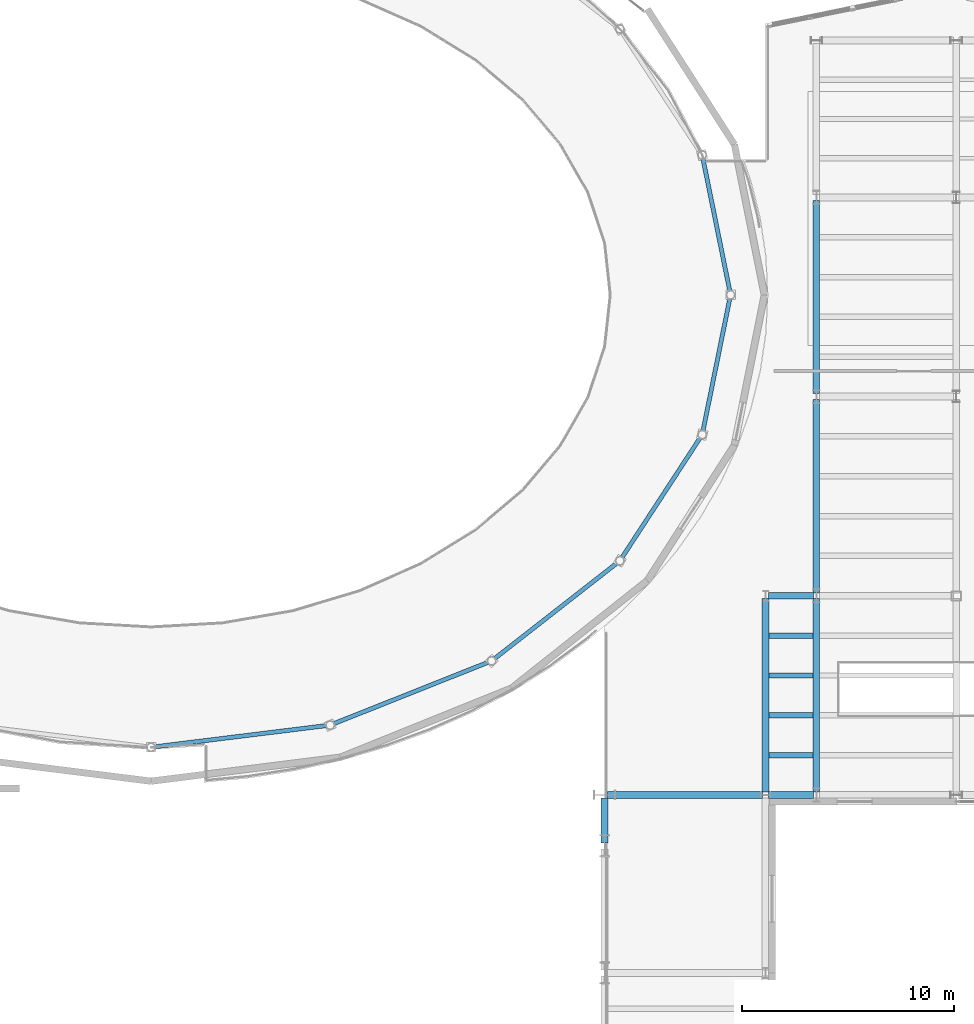
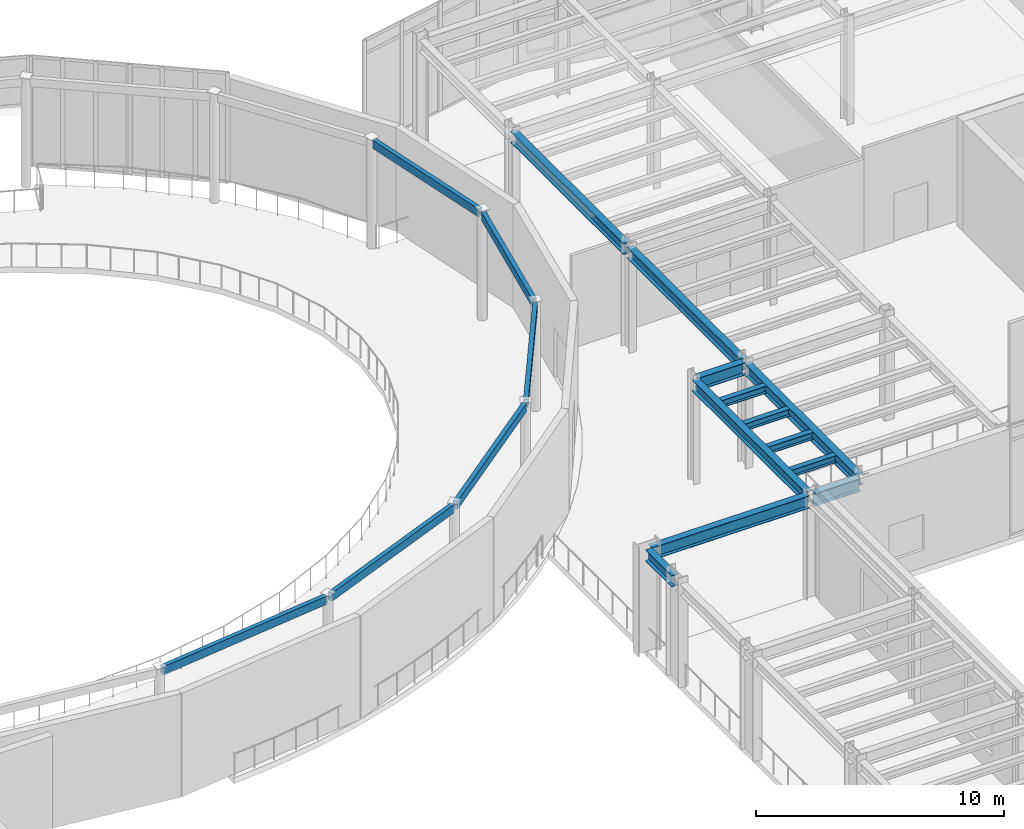
# One storey, part 42 of 98: 18 beams.
"""IFC4 building model written with IfcOpenShell, lengths in metres."""

import ifcopenshell
import ifcopenshell.guid

model = None  # the IFC model being written
_history = None  # IfcOwnerHistory: only IFC2X3 demands one
_inside = {}  # id of a spatial element -> (the spatial element, [elements in it])
_under = {}  # id of a project, library or spatial element -> (it, [spatial elements below it])
_declared = {}  # id of a project -> (the project, [libraries it declares])
_typed = {}  # id of a type object -> (the type object, [elements of that type])
_made_of = {}  # id of a material, layer set ... -> (it, [elements and type objects made of it])


def new_model(schema):
    """Start an empty IFC model of exactly this schema.

    Asked for "IFC4X3", IfcOpenShell would pick the latest addendum, in which some entities
    have other attributes; the version numbers below select the first issue.
    IFC2X3 requires an IfcOwnerHistory on every rooted entity: one is made here for all.
    """
    global model, _history
    if schema == "IFC4X3":
        model = ifcopenshell.file(schema_version=(4, 3, 0, 0))
    else:
        model = ifcopenshell.file(schema=schema)
    _inside.clear()
    _under.clear()
    _declared.clear()
    _typed.clear()
    _made_of.clear()
    _history = None
    if model.schema == "IFC2X3":
        org = make("IfcOrganization", Name="unknown")
        user = make(
            "IfcPersonAndOrganization",
            ThePerson=make("IfcPerson", FamilyName="unknown"),
            TheOrganization=org,
        )
        app = make(
            "IfcApplication",
            ApplicationDeveloper=org,
            Version="unknown",
            ApplicationFullName="unknown",
            ApplicationIdentifier="unknown",
        )
        _history = make(
            "IfcOwnerHistory",
            OwningUser=user,
            OwningApplication=app,
            ChangeAction="ADDED",
            CreationDate=0,
        )
    return model


def make(cls, **values):
    """One entity of the class cls with the attributes given. An attribute that is None is left unset."""
    return model.create_entity(
        cls, **{name: value for name, value in values.items() if value is not None}
    )


def rooted(cls, **values):
    """An entity with a GlobalId (a new one), such as an element, a storey or a relation."""
    return make(cls, GlobalId=ifcopenshell.guid.new(), OwnerHistory=_history, **values)


def si_unit(unit_type, name, prefix=None):
    """IfcSIUnit, for example si_unit("LENGTHUNIT", "METRE", prefix="MILLI")."""
    return make("IfcSIUnit", UnitType=unit_type, Prefix=prefix, Name=name)


def assignment(units):
    """IfcUnitAssignment: the units of a project."""
    return None if units is None else make("IfcUnitAssignment", Units=units)


def point(xyz):
    """IfcCartesianPoint."""
    return None if xyz is None else make("IfcCartesianPoint", Coordinates=xyz)


def direction(xyz):
    """IfcDirection."""
    return None if xyz is None else make("IfcDirection", DirectionRatios=xyz)


def frame(location, z_axis=None, x_axis=None):
    """IfcAxis2Placement3D, a coordinate frame: its origin and axes. An axis left out is left unset."""
    return make(
        "IfcAxis2Placement3D",
        Location=point(location),
        Axis=direction(z_axis),
        RefDirection=direction(x_axis),
    )


def frame_2d(location, x_axis=None):
    """IfcAxis2Placement2D, a coordinate frame in the plane: its origin and x axis."""
    return make(
        "IfcAxis2Placement2D", Location=point(location), RefDirection=direction(x_axis)
    )


def origin():
    """The frame at (0, 0, 0) with its axes left unset."""
    return frame((0.0, 0.0, 0.0))


def origin_2d():
    """The frame at (0, 0) in the plane with its x axis left unset."""
    return frame_2d((0.0, 0.0))


def place(relative_to, where):
    """IfcLocalPlacement: puts the frame where relative to a parent placement (None: the world)."""
    return make(
        "IfcLocalPlacement", PlacementRelTo=relative_to, RelativePlacement=where
    )


def context(
    kind, dimensions, precision=None, world=None, true_north=None, identifier=None
):
    """IfcGeometricRepresentationContext, for example the 3D "Model" context."""
    return make(
        "IfcGeometricRepresentationContext",
        ContextIdentifier=identifier,
        ContextType=kind,
        CoordinateSpaceDimension=dimensions,
        Precision=precision,
        WorldCoordinateSystem=world,
        TrueNorth=true_north,
    )


def subcontext(parent, identifier, kind, view, scale=None):
    """IfcGeometricRepresentationSubContext, for example "Body" below "Model"."""
    return make(
        "IfcGeometricRepresentationSubContext",
        ContextIdentifier=identifier,
        ContextType=kind,
        ParentContext=parent,
        TargetScale=scale,
        TargetView=view,
    )


def project(units=None, contexts=None):
    """IfcProject with its units and contexts."""
    return rooted(
        "IfcProject",
        Name="project",
        RepresentationContexts=contexts,
        UnitsInContext=assignment(units),
    )


def spatial(cls, under=None, at=None, **own):
    """A site, building, storey or space (cls), placed at a placement, below another one or the project."""
    s = rooted(cls, ObjectPlacement=at, **own)
    if under is not None:
        _under.setdefault(under.id(), (under, []))[1].append(s)
    return s


def profile(cls, at=None, kind="AREA", **sizes):
    """A parametric profile (cls). Its sizes go by their IFC names, for example OverallWidth=200.0."""
    return make(cls, ProfileType=kind, Position=at, **sizes)


def hollow_rectangle(**sizes):
    """IfcRectangleHollowProfileDef."""
    return profile("IfcRectangleHollowProfileDef", **sizes)


def i_section(**sizes):
    """IfcIShapeProfileDef."""
    return profile("IfcIShapeProfileDef", **sizes)


def extrude(swept, where, along, depth):
    """IfcExtrudedAreaSolid: the profile swept, set in the frame where, extruded along a direction by depth."""
    return make(
        "IfcExtrudedAreaSolid",
        SweptArea=swept,
        Position=where,
        ExtrudedDirection=direction(along),
        Depth=depth,
    )


def shape(context_of_items, identifier, shape_type, items):
    """IfcShapeRepresentation: the items that make up one representation, for example the "Body"."""
    return make(
        "IfcShapeRepresentation",
        ContextOfItems=context_of_items,
        RepresentationIdentifier=identifier,
        RepresentationType=shape_type,
        Items=items,
    )


def material(Name=None, Category=None):
    """IfcMaterial."""
    return make("IfcMaterial", Name=Name, Category=Category)


def material_profile(
    of_material, cross_section, Name=None, Category=None, Priority=None
):
    """IfcMaterialProfile: a cross section and its material."""
    return make(
        "IfcMaterialProfile",
        Name=Name,
        Material=of_material,
        Profile=cross_section,
        Priority=Priority,
        Category=Category,
    )


def profile_set(profiles, Name=None, composite=None):
    """IfcMaterialProfileSet."""
    return make(
        "IfcMaterialProfileSet",
        Name=Name,
        MaterialProfiles=profiles,
        CompositeProfile=composite,
    )


def made_of(thing, what):
    """Note that an element or type object is made of a material, layer set ...; save() writes the relation."""
    if what is not None:
        _made_of.setdefault(what.id(), (what, []))[1].append(thing)
    return thing


def type_object(cls, material=None, **own):
    """A type object (cls), such as IfcWallType, which elements share."""
    return made_of(rooted(cls, **own), material)


def element(
    cls,
    number,
    at=None,
    inside=None,
    cuts=None,
    type_object=None,
    material=None,
    context=None,
    identifier="Body",
    shape_type=None,
    held_by="IfcProductDefinitionShape",
    body=None,
    shapes=None,
    **own,
):
    """One element of the class cls, such as IfcWall. Its Tag is "e" and its number.

    at: its placement. inside: the storey or other place that contains it. cuts: it is an
    opening in that element (IfcRelVoidsElement). A single representation is given by context,
    identifier, shape_type and body (its items); several are given by shapes. held_by: the class
    of the entity that holds the representations. save() writes the other relations.
    """
    e = rooted(cls, Tag="e%d" % number, ObjectPlacement=at, **own)
    if body is not None:
        shapes = [shape(context, identifier, shape_type, body)]
    if shapes is not None:
        e.Representation = make(held_by, Representations=shapes)
    if inside is not None:
        _inside.setdefault(inside.id(), (inside, []))[1].append(e)
    if cuts is not None:
        rooted(
            "IfcRelVoidsElement", RelatingBuildingElement=cuts, RelatedOpeningElement=e
        )
    if type_object is not None:
        _typed.setdefault(type_object.id(), (type_object, []))[1].append(e)
    return made_of(e, material)


def aggregate(whole, parts):
    """IfcRelAggregates: a whole, such as a stair, and the parts it consists of."""
    return rooted("IfcRelAggregates", RelatingObject=whole, RelatedObjects=parts)


def save(model, path):
    """Write the relations noted so far, then the file.

    IfcRelAggregates (storeys below a building ...), IfcRelContainedInSpatialStructure (elements
    in a storey), IfcRelDefinesByType, IfcRelAssociatesMaterial and IfcRelDeclares: one each for
    every whole, place, type object, material and project.
    """
    for whole, parts in _under.values():
        aggregate(whole, parts)
    for where, things in _inside.values():
        rooted(
            "IfcRelContainedInSpatialStructure",
            RelatedElements=things,
            RelatingStructure=where,
        )
    for kind, things in _typed.values():
        rooted("IfcRelDefinesByType", RelatedObjects=things, RelatingType=kind)
    for what, things in _made_of.values():
        rooted("IfcRelAssociatesMaterial", RelatedObjects=things, RelatingMaterial=what)
    for by, libraries in _declared.values():
        rooted("IfcRelDeclares", RelatingContext=by, RelatedDefinitions=libraries)
    model.write(path)


model = new_model("IFC4")

# Units and contexts
model_context = context("Model", 3, precision=1e-05, world=origin(), true_north=direction((0.0, 1.0)))
body_context = subcontext(model_context, "Body", "Model", "MODEL_VIEW")
ifc_project = project(units=[si_unit("LENGTHUNIT", "METRE"), si_unit("AREAUNIT", "SQUARE_METRE"), si_unit("VOLUMEUNIT", "CUBIC_METRE"), si_unit("PLANEANGLEUNIT", "RADIAN"), si_unit("MASSUNIT", "GRAM", prefix="KILO")], contexts=[model_context])

# Site, building, storey
site_placement = place(None, origin())
site = spatial("IfcSite", under=ifc_project, at=site_placement, CompositionType="ELEMENT")
building_placement = place(site_placement, origin())
building = spatial("IfcBuilding", under=site, at=building_placement, Name="Sollismere Congress Hotel", CompositionType="ELEMENT")
storey_placement = place(building_placement, frame((0.0, 0.0, 5.39990234375)))
storey = spatial("IfcBuildingStorey", under=building, at=storey_placement, Name="L01", CompositionType="ELEMENT", Elevation=5.39990234375)

# Beams
ifc_material_1 = material(Name="Steel ASTM A500 Grade C", Category="steel")
ifc_material_profile_1 = material_profile(ifc_material_1, hollow_rectangle(XDim=0.199951171875, YDim=0.39990234375, WallThickness=0.011962890625, at=origin_2d()), Name="HSS400X200X12")
ifc_profile_set_1 = profile_set([ifc_material_profile_1], Name="Steel ASTM A500 Grade C")
beam_type_1 = type_object("IfcBeamType", Name="BM-BX400", PredefinedType="HOLLOWCORE", material=ifc_profile_set_1)
beam_1_placement = place(storey_placement, frame((56.326171875, 90.517578125, 5.150146484375), z_axis=(-0.198827417532, 0.980034518799, 0.0), x_axis=(-0.980034518799, -0.198827417532, 0.0)))
element("IfcBeam", 1, at=beam_1_placement, inside=storey, type_object=beam_type_1, Name="Beam BM-L01-4186", PredefinedType="HOLLOWCORE", context=body_context, shape_type="SweptSolid", body=[
    extrude(hollow_rectangle(XDim=0.199951171875, YDim=0.39990234375, WallThickness=0.011962890625, at=origin_2d()), origin(), (0.0, 0.0, 1.0), 6.491943359375),
])
beam_2_placement = place(storey_placement, frame((29.119140625, 69.064697265625, 5.150146484375), z_axis=(0.992444891413, 0.122691228327, 0.0), x_axis=(-0.122691228327, 0.992444891413, 0.0)))
element("IfcBeam", 2, at=beam_2_placement, inside=storey, type_object=beam_type_1, Name="Beam BM-L01-4201", PredefinedType="HOLLOWCORE", context=body_context, shape_type="SweptSolid", body=[
    extrude(hollow_rectangle(XDim=0.199951171875, YDim=0.39990234375, WallThickness=0.011962890625, at=origin_2d()), origin(), (0.0, 0.0, 1.0), 8.27587890625),
])
beam_3_placement = place(storey_placement, frame((37.56298828125, 70.139404296875, 5.150146484375), z_axis=(0.929208384376, 0.369556191134, 0.0), x_axis=(-0.369556191134, 0.929208384376, 0.0)))
element("IfcBeam", 3, at=beam_3_placement, inside=storey, type_object=beam_type_1, Name="Beam BM-L01-4202", PredefinedType="HOLLOWCORE", context=body_context, shape_type="SweptSolid", body=[
    extrude(hollow_rectangle(XDim=0.199951171875, YDim=0.39990234375, WallThickness=0.011962890625, at=origin_2d()), origin(), (0.0, 0.0, 1.0), 7.96533203125),
])
beam_4_placement = place(storey_placement, frame((45.17041015625, 73.201416015625, 5.150146484375), z_axis=(0.788263734949, 0.615337536775, 0.0), x_axis=(-0.615337536775, 0.788263734949, 0.0)))
element("IfcBeam", 4, at=beam_4_placement, inside=storey, type_object=beam_type_1, Name="Beam BM-L01-4203", PredefinedType="HOLLOWCORE", context=body_context, shape_type="SweptSolid", body=[
    extrude(hollow_rectangle(XDim=0.199951171875, YDim=0.39990234375, WallThickness=0.011962890625, at=origin_2d()), origin(), (0.0, 0.0, 1.0), 7.43603515625),
])
beam_5_placement = place(storey_placement, frame((51.192138671875, 77.951416015625, 5.150146484375), z_axis=(0.546609343854, 0.837387738871, 0.0), x_axis=(-0.837387738871, 0.546609343854, 0.0)))
element("IfcBeam", 5, at=beam_5_placement, inside=storey, type_object=beam_type_1, Name="Beam BM-L01-4204", PredefinedType="HOLLOWCORE", context=body_context, shape_type="SweptSolid", body=[
    extrude(hollow_rectangle(XDim=0.199951171875, YDim=0.39990234375, WallThickness=0.011962890625, at=origin_2d()), origin(), (0.0, 0.0, 1.0), 6.8671875),
])
beam_6_placement = place(storey_placement, frame((55.035400390625, 83.920166015625, 5.150146484375), z_axis=(0.198827417532, 0.980034518799, 0.0), x_axis=(-0.980034518799, 0.198827417532, 0.0)))
element("IfcBeam", 6, at=beam_6_placement, inside=storey, type_object=beam_type_1, Name="Beam BM-L01-4205", PredefinedType="HOLLOWCORE", context=body_context, shape_type="SweptSolid", body=[
    extrude(hollow_rectangle(XDim=0.199951171875, YDim=0.39990234375, WallThickness=0.011962890625, at=origin_2d()), origin(), (0.0, 0.0, 1.0), 6.491943359375),
])
ifc_material_2 = material(Name="Steel ASTM A992 Grade 50", Category="steel")
ifc_material_profile_2 = material_profile(ifc_material_2, i_section(OverallWidth=0.31494140625, OverallDepth=0.551025390625, WebThickness=0.01513671875, FlangeThickness=0.0244140625, at=origin_2d()), Name="W21X122")
ifc_profile_set_2 = profile_set([ifc_material_profile_2], Name="Steel ASTM A992 Grade 50")
beam_type_2 = type_object("IfcBeamType", Name="BM-G21H", PredefinedType="BEAM", material=ifc_profile_set_2)
beam_7_placement = place(storey_placement, frame((50.39990234375, 64.5400390625, 4.844482421875), z_axis=(0.0, 1.0, 0.0), x_axis=(-1.0, 0.0, 0.0)))
element("IfcBeam", 7, at=beam_7_placement, inside=storey, type_object=beam_type_2, Name="Beam BM-L01-1645", PredefinedType="BEAM", context=body_context, shape_type="SweptSolid", body=[
    extrude(i_section(OverallWidth=0.31494140625, OverallDepth=0.551025390625, WebThickness=0.01513671875, FlangeThickness=0.0244140625, at=origin_2d()), origin(), (0.0, 0.0, 1.0), 2.119873046875),
])
for number, where, z_axis, x_axis, name in (
    (8, (58.0, 66.93994140625, 4.844482421875), (0.0, 1.0, 0.0), (-1.0, 0.0, 0.0), "Beam BM-L01-1652"),
    (9, (60.39990234375, 66.93994140625, 4.844482421875), (0.0, 1.0, 0.0), (-1.0, 0.0, 0.0), "Beam BM-L01-1653"),
):
    element("IfcBeam", number, at=place(storey_placement, frame(where, z_axis=z_axis, x_axis=x_axis)), inside=storey, type_object=beam_type_2, Name=name, PredefinedType="BEAM", context=body_context, shape_type="SweptSolid", body=[
        extrude(i_section(OverallWidth=0.31494140625, OverallDepth=0.551025390625, WebThickness=0.01513671875, FlangeThickness=0.0244140625, at=origin_2d()), origin(), (0.0, 0.0, 1.0), 9.1201171875),
    ])
beam_8_placement = place(storey_placement, frame((60.39990234375, 76.340087890625, 4.844482421875), z_axis=(0.0, 1.0, 0.0), x_axis=(-1.0, 0.0, 0.0)))
element("IfcBeam", 10, at=beam_8_placement, inside=storey, type_object=beam_type_2, Name="Beam BM-L01-1654", PredefinedType="BEAM", context=body_context, shape_type="SweptSolid", body=[
    extrude(i_section(OverallWidth=0.31494140625, OverallDepth=0.551025390625, WebThickness=0.01513671875, FlangeThickness=0.0244140625, at=origin_2d()), origin(), (0.0, 0.0, 1.0), 9.119873046875),
])
beam_9_placement = place(storey_placement, frame((60.39990234375, 85.739990234375, 4.844482421875), z_axis=(0.0, 1.0, 0.0), x_axis=(-1.0, 0.0, 0.0)))
element("IfcBeam", 11, at=beam_9_placement, inside=storey, type_object=beam_type_2, Name="Beam BM-L01-1655", PredefinedType="BEAM", context=body_context, shape_type="SweptSolid", body=[
    extrude(i_section(OverallWidth=0.31494140625, OverallDepth=0.551025390625, WebThickness=0.01513671875, FlangeThickness=0.0244140625, at=origin_2d()), origin(), (0.0, 0.0, 1.0), 9.1201171875),
])
ifc_material_profile_3 = material_profile(ifc_material_2, i_section(OverallWidth=0.324951171875, OverallDepth=0.612060546875, WebThickness=0.0126953125, FlangeThickness=0.01904296875, at=origin_2d()), Name="W24X104")
ifc_profile_set_3 = profile_set([ifc_material_profile_3], Name="Steel ASTM A992 Grade 50")
beam_type_3 = type_object("IfcBeamType", Name="BM-G24", PredefinedType="BEAM", material=ifc_profile_set_3)
beam_10_placement = place(storey_placement, frame((50.5400390625, 66.800048828125, 4.814208984375), z_axis=(1.0, 0.0, 0.0), x_axis=(0.0, 1.0, 0.0)))
element("IfcBeam", 12, at=beam_10_placement, inside=storey, type_object=beam_type_3, Name="Beam BM-L01-1587", PredefinedType="BEAM", context=body_context, shape_type="SweptSolid", body=[
    extrude(i_section(OverallWidth=0.324951171875, OverallDepth=0.612060546875, WebThickness=0.0126953125, FlangeThickness=0.01904296875, at=origin_2d()), origin(), (0.0, 0.0, 1.0), 7.320068359375),
])
for number, where, z_axis, x_axis, name in (
    (13, (58.139892578125, 66.800048828125, 4.814208984375), (1.0, 0.0, 0.0), (0.0, 1.0, 0.0), "Beam BM-L01-1588"),
    (14, (58.139892578125, 76.199951171875, 4.814208984375), (1.0, 0.0, 0.0), (0.0, 1.0, 0.0), "Beam BM-L01-1600"),
):
    element("IfcBeam", number, at=place(storey_placement, frame(where, z_axis=z_axis, x_axis=x_axis)), inside=storey, type_object=beam_type_3, Name=name, PredefinedType="BEAM", context=body_context, shape_type="SweptSolid", body=[
        extrude(i_section(OverallWidth=0.324951171875, OverallDepth=0.612060546875, WebThickness=0.0126953125, FlangeThickness=0.01904296875, at=origin_2d()), origin(), (0.0, 0.0, 1.0), 2.1201171875),
    ])
ifc_material_profile_4 = material_profile(ifc_material_2, i_section(OverallWidth=0.25390625, OverallDepth=0.35595703125, WebThickness=0.010498046875, FlangeThickness=0.018310546875, at=origin_2d()), Name="W14X68")
ifc_profile_set_4 = profile_set([ifc_material_profile_4], Name="Steel ASTM A992 Grade 50")
beam_type_4 = type_object("IfcBeamType", Name="BM-J14", PredefinedType="JOIST", material=ifc_profile_set_4)
for number, where, z_axis, x_axis, name in (
    (15, (58.157470703125, 68.679931640625, 4.942138671875), (1.0, 0.0, 0.0), (0.0, 1.0, 0.0), "Beam BM-L01-1775"),
    (16, (58.157470703125, 70.56005859375, 4.942138671875), (1.0, 0.0, 0.0), (0.0, 1.0, 0.0), "Beam BM-L01-1776"),
    (17, (58.157470703125, 72.43994140625, 4.942138671875), (1.0, 0.0, 0.0), (0.0, 1.0, 0.0), "Beam BM-L01-1777"),
    (18, (58.157470703125, 74.320068359375, 4.942138671875), (1.0, 0.0, 0.0), (0.0, 1.0, 0.0), "Beam BM-L01-1778"),
):
    element("IfcBeam", number, at=place(storey_placement, frame(where, z_axis=z_axis, x_axis=x_axis)), inside=storey, type_object=beam_type_4, Name=name, PredefinedType="JOIST", context=body_context, shape_type="SweptSolid", body=[
        extrude(i_section(OverallWidth=0.25390625, OverallDepth=0.35595703125, WebThickness=0.010498046875, FlangeThickness=0.018310546875, at=origin_2d()), origin(), (0.0, 0.0, 1.0), 2.0849609375),
    ])

save(model, "model.ifc")
